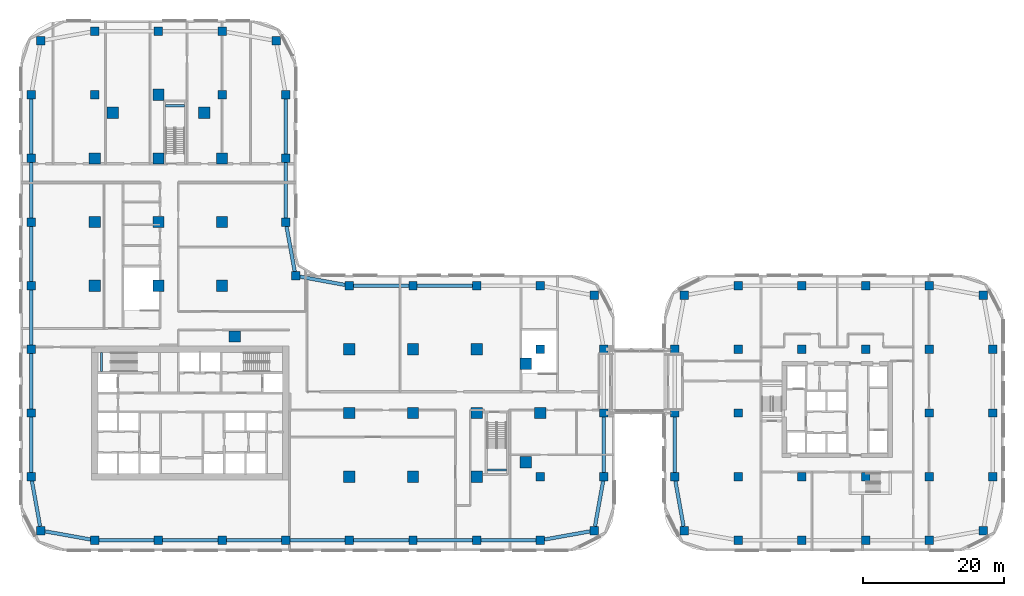
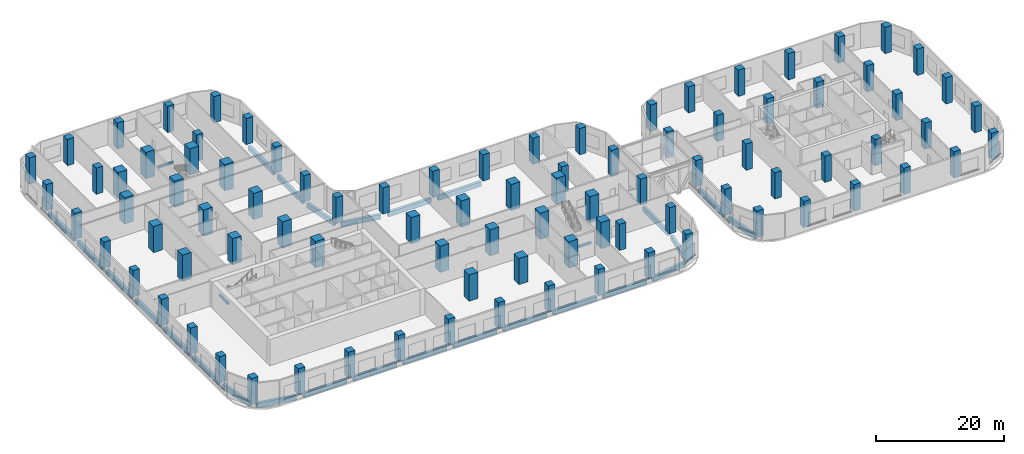
# One storey, part 1 of 33: 91 columns, 29 beams.
"""IFC4 building model written with IfcOpenShell, lengths in metres."""

from ifc_helpers import new_model, si_unit, direction, frame, origin, origin_2d, place, context, subcontext, project, spatial, rectangle, extrude, material, material_profile, profile_set, type_object, element, save


model = new_model("IFC4")

# Units and contexts
model_context = context("Model", 3, precision=1e-05, world=origin(), true_north=direction((0.0, 1.0)))
body_context = subcontext(model_context, "Body", "Model", "MODEL_VIEW")
ifc_project = project(units=[si_unit("LENGTHUNIT", "METRE"), si_unit("AREAUNIT", "SQUARE_METRE"), si_unit("VOLUMEUNIT", "CUBIC_METRE"), si_unit("PLANEANGLEUNIT", "RADIAN"), si_unit("MASSUNIT", "GRAM", prefix="KILO")], contexts=[model_context])

# Site, building, storey
site_placement = place(None, origin())
site = spatial("IfcSite", under=ifc_project, at=site_placement, CompositionType="ELEMENT")
building_placement = place(site_placement, origin())
building = spatial("IfcBuilding", under=site, at=building_placement, Name="Ogive Portal Towers", CompositionType="ELEMENT")
storey_placement = place(building_placement, frame((0.0, 0.0, 28.5)))
storey = spatial("IfcBuildingStorey", under=building, at=storey_placement, Name="L05", CompositionType="ELEMENT", Elevation=28.5)

# Columns
ifc_material_1 = material(Name="Concrete C50/60", Category="concrete")
ifc_material_profile_1 = material_profile(ifc_material_1, rectangle(XDim=1.199951171875, YDim=1.199951171875, at=origin_2d()), Name="RC 1200x1200")
ifc_profile_set_1 = profile_set([ifc_material_profile_1], Name="Concrete C50/60")
column_type_1 = type_object("IfcColumnType", Name="COLUMN RC 1200x1200", PredefinedType="COLUMN", material=ifc_profile_set_1)
for number, where, z_axis, x_axis, name in (
    (1, (31.5, 12.5, 0.0), (0.0, 0.0, 1.0), (1.0, 0.0, 0.0), "Column 1/Z L05"),
    (2, (40.5, 12.5, 0.0), (0.0, 0.0, 1.0), (1.0, 0.0, 0.0), "Column 2/Z L05"),
    (3, (49.5, 12.5, 0.0), (0.0, 0.0, 1.0), (1.0, 0.0, 0.0), "Column 3/Z L05"),
    (4, (58.5, 12.5, 0.0), (0.0, 0.0, 1.0), (1.0, 0.0, 0.0), "Column 4/Z L05"),
    (5, (67.5, 12.5, 0.0), (0.0, 0.0, 1.0), (1.0, 0.0, 0.0), "Column 5/Z L05"),
    (6, (76.5, 12.5, 0.0), (0.0, 0.0, 1.0), (1.0, 0.0, 0.0), "Column 6/Z L05"),
    (7, (85.5, 12.5, 0.0), (0.0, 0.0, 1.0), (1.0, 0.0, 0.0), "Column 7/Z L05"),
    (8, (94.5, 12.5, 0.0), (0.0, 0.0, 1.0), (1.0, 0.0, 0.0), "Column 8/Z L05"),
    (9, (23.8701171875, 13.8701171875, 0.0), (0.0, 0.0, 1.0), (1.0, 0.0, 0.0), "Column L05"),
    (10, (102.1298828125, 13.8701171875, 0.0), (0.0, 0.0, 1.0), (1.0, 0.0, 0.0), "Column L05"),
    (11, (22.5, 21.5, 0.0), (0.0, 0.0, 1.0), (1.0, 0.0, 0.0), "Column 0/A L05"),
    (12, (94.5, 21.5, 0.0), (0.0, 0.0, 1.0), (1.0, 0.0, 0.0), "Column 8/A L05"),
    (13, (103.5, 21.5, 0.0), (0.0, 0.0, 1.0), (1.0, 0.0, 0.0), "Column 9/A L05"),
    (14, (22.5, 30.5, 0.0), (0.0, 0.0, 1.0), (1.0, 0.0, 0.0), "Column 0/B L05"),
    (15, (103.5, 30.5, 0.0), (0.0, 0.0, 1.0), (1.0, 0.0, 0.0), "Column 9/B L05"),
    (16, (22.5, 39.5, 0.0), (0.0, 0.0, 1.0), (1.0, 0.0, 0.0), "Column 0/C L05"),
    (17, (94.5, 39.5, 0.0), (0.0, 0.0, 1.0), (1.0, 0.0, 0.0), "Column 8/C L05"),
    (18, (103.5, 39.5, 0.0), (0.0, 0.0, 1.0), (1.0, 0.0, 0.0), "Column 9/C L05"),
    (19, (102.1298828125, 47.1298828125, 0.0), (0.0, 0.0, 1.0), (1.0, 0.0, 0.0), "Column L05"),
    (20, (22.5, 48.5, 0.0), (0.0, 0.0, 1.0), (1.0, 0.0, 0.0), "Column 0/D L05"),
    (21, (67.5, 48.5, 0.0), (0.0, 0.0, 1.0), (1.0, 0.0, 0.0), "Column 5/D L05"),
    (22, (76.5, 48.5, 0.0), (0.0, 0.0, 1.0), (1.0, 0.0, 0.0), "Column 6/D L05"),
    (23, (85.5, 48.5, 0.0), (0.0, 0.0, 1.0), (1.0, 0.0, 0.0), "Column 7/D L05"),
    (24, (94.5, 48.5, 0.0), (0.0, 0.0, 1.0), (1.0, 0.0, 0.0), "Column 8/D L05"),
    (25, (59.889892578125, 49.889892578125, 0.0), (0.0, 0.0, 1.0), (1.0, 0.0, 0.0), "Column L05"),
    (26, (22.5, 57.5, 0.0), (0.0, 0.0, 1.0), (1.0, 0.0, 0.0), "Column 0/E L05"),
    (27, (58.5, 57.5, 0.0), (0.0, 0.0, 1.0), (1.0, 0.0, 0.0), "Column 4/E L05"),
    (28, (22.5, 66.5, 0.0), (0.0, 0.0, 1.0), (1.0, 0.0, 0.0), "Column 0/F L05"),
    (29, (58.5, 66.5, 0.0), (0.0, 0.0, 1.0), (1.0, 0.0, 0.0), "Column 4/F L05"),
    (30, (22.5, 75.5, 0.0), (0.0, 0.0, 1.0), (1.0, 0.0, 0.0), "Column 0/G L05"),
    (31, (31.5, 75.5, 0.0), (0.0, 0.0, 1.0), (1.0, 0.0, 0.0), "Column 1/G L05"),
    (32, (49.5, 75.5, 0.0), (0.0, 0.0, 1.0), (1.0, 0.0, 0.0), "Column 3/G L05"),
    (33, (58.5, 75.5, 0.0), (0.0, 0.0, 1.0), (1.0, 0.0, 0.0), "Column 4/G L05"),
    (34, (23.8701171875, 83.1298828125, 0.0), (0.0, 0.0, 1.0), (1.0, 0.0, 0.0), "Column L05"),
    (35, (57.1298828125, 83.1298828125, 0.0), (0.0, 0.0, 1.0), (1.0, 0.0, 0.0), "Column L05"),
    (36, (31.5, 84.5, 0.0), (0.0, 0.0, 1.0), (1.0, 0.0, 0.0), "Column 1/H1 L05"),
    (37, (40.5, 84.5, 0.0), (0.0, 0.0, 1.0), (1.0, 0.0, 0.0), "Column 2/H1 L05"),
    (38, (49.5, 84.5, 0.0), (0.0, 0.0, 1.0), (1.0, 0.0, 0.0), "Column 3/H1 L05"),
    (39, (122.5, 12.5, 0.0), (0.0, 0.0, 1.0), (1.0, 0.0, 0.0), "Column P2/Q1 L05"),
    (40, (131.5, 12.5, 0.0), (0.0, 0.0, 1.0), (1.0, 0.0, 0.0), "Column P3/Q1 L05"),
    (41, (140.5, 12.5, 0.0), (0.0, 0.0, 1.0), (1.0, 0.0, 0.0), "Column P4/Q1 L05"),
    (42, (149.5, 12.5, 0.0), (0.0, 0.0, 1.0), (1.0, 0.0, 0.0), "Column P5/Q1 L05"),
    (43, (114.8701171875, 13.8701171875, 0.0), (0.0, 0.0, 1.0), (1.0, 0.0, 0.0), "Column L05"),
    (44, (157.1298828125, 13.8701171875, 0.0), (0.0, 0.0, 1.0), (1.0, 0.0, 0.0), "Column L05"),
    (45, (113.5, 21.5, 0.0), (0.0, 0.0, 1.0), (1.0, 0.0, 0.0), "Column P1/Q2 L05"),
    (46, (122.5, 21.5, 0.0), (0.0, 0.0, 1.0), (1.0, 0.0, 0.0), "Column P2/Q2 L05"),
    (47, (131.5, 21.5, 0.0), (0.0, 0.0, 1.0), (1.0, 0.0, 0.0), "Column P3/Q2 L05"),
    (48, (140.5, 21.5, 0.0), (0.0, 0.0, 1.0), (1.0, 0.0, 0.0), "Column P4/Q2 L05"),
    (49, (149.5, 21.5, 0.0), (0.0, 0.0, 1.0), (1.0, 0.0, 0.0), "Column P5/Q2 L05"),
    (50, (158.5, 21.5, 0.0), (0.0, 0.0, 1.0), (1.0, 0.0, 0.0), "Column P6/Q2 L05"),
    (51, (113.5, 30.5, 0.0), (0.0, 0.0, 1.0), (1.0, 0.0, 0.0), "Column P1/Q3 L05"),
    (52, (122.5, 30.5, 0.0), (0.0, 0.0, 1.0), (1.0, 0.0, 0.0), "Column P2/Q3 L05"),
    (53, (149.5, 30.5, 0.0), (0.0, 0.0, 1.0), (1.0, 0.0, 0.0), "Column P5/Q3 L05"),
    (54, (158.5, 30.5, 0.0), (0.0, 0.0, 1.0), (1.0, 0.0, 0.0), "Column P6/Q3 L05"),
    (55, (113.5, 39.5, 0.0), (0.0, 0.0, 1.0), (1.0, 0.0, 0.0), "Column P1/Q4 L05"),
    (56, (122.5, 39.5, 0.0), (0.0, 0.0, 1.0), (1.0, 0.0, 0.0), "Column P2/Q4 L05"),
    (57, (131.5, 39.5, 0.0), (0.0, 0.0, 1.0), (1.0, 0.0, 0.0), "Column P3/Q4 L05"),
    (58, (140.5, 39.5, 0.0), (0.0, 0.0, 1.0), (1.0, 0.0, 0.0), "Column P4/Q4 L05"),
    (59, (149.5, 39.5, 0.0), (0.0, 0.0, 1.0), (1.0, 0.0, 0.0), "Column P5/Q4 L05"),
    (60, (158.5, 39.5, 0.0), (0.0, 0.0, 1.0), (1.0, 0.0, 0.0), "Column P6/Q4 L05"),
    (61, (114.8701171875, 47.1298828125, 0.0), (0.0, 0.0, 1.0), (1.0, 0.0, 0.0), "Column L05"),
    (62, (157.1298828125, 47.1298828125, 0.0), (0.0, 0.0, 1.0), (1.0, 0.0, 0.0), "Column L05"),
    (63, (122.5, 48.5, 0.0), (0.0, 0.0, 1.0), (1.0, 0.0, 0.0), "Column P2/Q5 L05"),
    (64, (131.5, 48.5, 0.0), (0.0, 0.0, 1.0), (1.0, 0.0, 0.0), "Column P3/Q5 L05"),
    (65, (140.5, 48.5, 0.0), (0.0, 0.0, 1.0), (1.0, 0.0, 0.0), "Column P4/Q5 L05"),
    (66, (149.5, 48.5, 0.0), (0.0, 0.0, 1.0), (1.0, 0.0, 0.0), "Column P5/Q5 L05"),
):
    element("IfcColumn", number, at=place(storey_placement, frame(where, z_axis=z_axis, x_axis=x_axis)), inside=storey, type_object=column_type_1, Name=name, PredefinedType="COLUMN", context=body_context, shape_type="SweptSolid", body=[
        extrude(rectangle(XDim=1.199951171875, YDim=1.199951171875, at=origin_2d()), origin(), (0.0, 0.0, 1.0), 5.0),
    ])
ifc_material_2 = material(Name="Concrete C60/75", Category="concrete")
ifc_material_profile_2 = material_profile(ifc_material_2, rectangle(XDim=1.60009765625, YDim=1.60009765625, at=origin_2d()), Name="RC 1600x1600")
ifc_profile_set_2 = profile_set([ifc_material_profile_2], Name="Concrete C60/75")
column_type_2 = type_object("IfcColumnType", Name="COLUMN RC 1600x1600", PredefinedType="COLUMN", material=ifc_profile_set_2)
for number, where, z_axis, x_axis, name in (
    (67, (67.5, 21.5, 0.0), (0.0, 0.0, 1.0), (1.0, 0.0, 0.0), "Column 5/A L05"),
    (68, (76.5, 21.5, 0.0), (0.0, 0.0, 1.0), (1.0, 0.0, 0.0), "Column 6/A L05"),
    (69, (85.5, 21.5, 0.0), (0.0, 0.0, 1.0), (1.0, 0.0, 0.0), "Column 7/A L05"),
    (70, (67.5, 30.5, 0.0), (0.0, 0.0, 1.0), (1.0, 0.0, 0.0), "Column 5/B L05"),
    (71, (76.5, 30.5, 0.0), (0.0, 0.0, 1.0), (1.0, 0.0, 0.0), "Column 6/B L05"),
    (72, (85.5, 30.5, 0.0), (0.0, 0.0, 1.0), (1.0, 0.0, 0.0), "Column 7/B L05"),
    (73, (94.5, 30.5, 0.0), (0.0, 0.0, 1.0), (1.0, 0.0, 0.0), "Column 8/B L05"),
    (74, (67.5, 39.5, 0.0), (0.0, 0.0, 1.0), (1.0, 0.0, 0.0), "Column 5/C L05"),
    (75, (76.5, 39.5, 0.0), (0.0, 0.0, 1.0), (1.0, 0.0, 0.0), "Column 6/C L05"),
    (76, (85.5, 39.5, 0.0), (0.0, 0.0, 1.0), (1.0, 0.0, 0.0), "Column 7/C L05"),
    (77, (31.5, 48.5, 0.0), (0.0, 0.0, 1.0), (1.0, 0.0, 0.0), "Column 1/D L05"),
    (78, (40.5, 48.5, 0.0), (0.0, 0.0, 1.0), (1.0, 0.0, 0.0), "Column 2/D L05"),
    (79, (49.5, 48.5, 0.0), (0.0, 0.0, 1.0), (1.0, 0.0, 0.0), "Column 3/D L05"),
    (80, (31.5, 57.5, 0.0), (0.0, 0.0, 1.0), (1.0, 0.0, 0.0), "Column 1/E L05"),
    (81, (40.5, 57.5, 0.0), (0.0, 0.0, 1.0), (1.0, 0.0, 0.0), "Column 2/E L05"),
    (82, (49.5, 57.5, 0.0), (0.0, 0.0, 1.0), (1.0, 0.0, 0.0), "Column 3/E L05"),
    (83, (31.5, 66.5, 0.0), (0.0, 0.0, 1.0), (1.0, 0.0, 0.0), "Column 1/F L05"),
    (84, (40.5, 66.5, 0.0), (0.0, 0.0, 1.0), (1.0, 0.0, 0.0), "Column 2/F L05"),
    (85, (49.5, 66.5, 0.0), (0.0, 0.0, 1.0), (1.0, 0.0, 0.0), "Column 3/F L05"),
    (86, (40.5, 75.5, 0.0), (0.0, 0.0, 1.0), (1.0, 0.0, 0.0), "Column 2/G L05"),
    (87, (34.030029296875, 72.969970703125, 0.0), (0.0, 0.0, 1.0), (1.0, 0.0, 0.0), "Column L05"),
    (88, (46.969970703125, 72.969970703125, 0.0), (0.0, 0.0, 1.0), (1.0, 0.0, 0.0), "Column L05"),
    (89, (51.31005859375, 41.31005859375, 0.0), (0.0, 0.0, 1.0), (1.0, 0.0, 0.0), "Column L05"),
    (90, (92.449951171875, 23.550048828125, 0.0), (0.0, 0.0, 1.0), (1.0, 0.0, 0.0), "Column L05"),
    (91, (92.449951171875, 37.449951171875, 0.0), (0.0, 0.0, 1.0), (1.0, 0.0, 0.0), "Column L05"),
):
    element("IfcColumn", number, at=place(storey_placement, frame(where, z_axis=z_axis, x_axis=x_axis)), inside=storey, type_object=column_type_2, Name=name, PredefinedType="COLUMN", context=body_context, shape_type="SweptSolid", body=[
        extrude(rectangle(XDim=1.60009765625, YDim=1.60009765625, at=origin_2d()), origin(), (0.0, 0.0, 1.0), 5.0),
    ])

# Beams
ifc_material_3 = material(Name="Concrete C40/50", Category="concrete")
ifc_material_profile_3 = material_profile(ifc_material_3, rectangle(XDim=0.300048828125, YDim=0.39990234375, at=origin_2d()), Name="RC 300x400")
ifc_profile_set_3 = profile_set([ifc_material_profile_3], Name="Concrete C40/50")
beam_type_1 = type_object("IfcBeamType", Name="BEAM RC 300x400", PredefinedType="BEAM", material=ifc_profile_set_3)
for number, where, z_axis, x_axis, name in (
    (92, (32.449951171875, 36.35009765625, 2.10009765625), (0.0, 1.0, 0.0), (-1.0, 0.0, 0.0), "Landing beam L05"),
    (93, (41.5, 73.949951171875, 2.10009765625), (1.0, 0.0, 0.0), (0.0, 1.0, 0.0), "Landing beam L05"),
    (94, (87.0, 22.449951171875, 2.10009765625), (1.0, 0.0, 0.0), (0.0, 1.0, 0.0), "Landing beam L05"),
):
    element("IfcBeam", number, at=place(storey_placement, frame(where, z_axis=z_axis, x_axis=x_axis)), inside=storey, type_object=beam_type_1, Name=name, PredefinedType="BEAM", context=body_context, shape_type="SweptSolid", body=[
        extrude(rectangle(XDim=0.300048828125, YDim=0.39990234375, at=origin_2d()), origin(), (0.0, 0.0, 1.0), 2.699951171875),
    ])
ifc_material_profile_4 = material_profile(ifc_material_1, rectangle(XDim=0.5, YDim=0.89990234375, at=origin_2d()), Name="RC 500x900")
ifc_profile_set_4 = profile_set([ifc_material_profile_4], Name="Concrete C50/60")
beam_type_2 = type_object("IfcBeamType", Name="PODIUM GIRDER RC 500x900", PredefinedType="BEAM", material=ifc_profile_set_4)
beam_1_placement = place(storey_placement, frame((24.469970703125, 13.76220703125, -0.75), z_axis=(0.984259207685, -0.176730903032, 0.0), x_axis=(0.176730903032, 0.984259207685, 0.0)))
element("IfcBeam", 95, at=beam_1_placement, inside=storey, type_object=beam_type_2, Name="Spandrel beam L05", PredefinedType="BEAM", context=body_context, shape_type="SweptSolid", body=[
    extrude(rectangle(XDim=0.5, YDim=0.89990234375, at=origin_2d()), origin(), (0.0, 0.0, 1.0), 6.53271484375),
])
for number, where, z_axis, x_axis, name in (
    (96, (32.10009765625, 12.5, -0.75), (1.0, 0.0, 0.0), (0.0, 1.0, 0.0), "Spandrel beam L05"),
    (97, (41.10009765625, 12.5, -0.75), (1.0, 0.0, 0.0), (0.0, 1.0, 0.0), "Spandrel beam L05"),
    (98, (50.10009765625, 12.5, -0.75), (1.0, 0.0, 0.0), (0.0, 1.0, 0.0), "Spandrel beam L05"),
    (99, (59.10009765625, 12.5, -0.75), (1.0, 0.0, 0.0), (0.0, 1.0, 0.0), "Spandrel beam L05"),
    (100, (68.10009765625, 12.5, -0.75), (1.0, 0.0, 0.0), (0.0, 1.0, 0.0), "Spandrel beam L05"),
    (101, (77.10009765625, 12.5, -0.75), (1.0, 0.0, 0.0), (0.0, 1.0, 0.0), "Spandrel beam L05"),
    (102, (86.10009765625, 12.5, -0.75), (1.0, 0.0, 0.0), (0.0, 1.0, 0.0), "Spandrel beam L05"),
):
    element("IfcBeam", number, at=place(storey_placement, frame(where, z_axis=z_axis, x_axis=x_axis)), inside=storey, type_object=beam_type_2, Name=name, PredefinedType="BEAM", context=body_context, shape_type="SweptSolid", body=[
        extrude(rectangle(XDim=0.5, YDim=0.89990234375, at=origin_2d()), origin(), (0.0, 0.0, 1.0), 7.7998046875),
    ])
for number, where, z_axis, x_axis, name in (
    (103, (95.10009765625, 12.607666015625, -0.75), (0.984259207685, 0.176730903032, 0.0), (-0.176730903032, 0.984259207685, 0.0), "Spandrel beam L05"),
    (104, (102.23779296875, 14.469970703125, -0.75), (0.176730903032, 0.984259207685, 0.0), (-0.984259207685, 0.176730903032, 0.0), "Spandrel beam L05"),
):
    element("IfcBeam", number, at=place(storey_placement, frame(where, z_axis=z_axis, x_axis=x_axis)), inside=storey, type_object=beam_type_2, Name=name, PredefinedType="BEAM", context=body_context, shape_type="SweptSolid", body=[
        extrude(rectangle(XDim=0.5, YDim=0.89990234375, at=origin_2d()), origin(), (0.0, 0.0, 1.0), 6.53271484375),
    ])
for number, where, z_axis, x_axis, name in (
    (105, (103.5, 22.10009765625, -0.75), (0.0, 1.0, 0.0), (-1.0, 0.0, 0.0), "Spandrel beam L05"),
    (106, (84.89990234375, 48.5, -0.75), (-1.0, 0.0, 0.0), (0.0, -1.0, 0.0), "Spandrel beam L05"),
    (107, (75.89990234375, 48.5, -0.75), (-1.0, 0.0, 0.0), (0.0, -1.0, 0.0), "Spandrel beam L05"),
):
    element("IfcBeam", number, at=place(storey_placement, frame(where, z_axis=z_axis, x_axis=x_axis)), inside=storey, type_object=beam_type_2, Name=name, PredefinedType="BEAM", context=body_context, shape_type="SweptSolid", body=[
        extrude(rectangle(XDim=0.5, YDim=0.89990234375, at=origin_2d()), origin(), (0.0, 0.0, 1.0), 7.7998046875),
    ])
for number, where, z_axis, x_axis, name in (
    (108, (66.89990234375, 48.609619140625, -0.75), (-0.983722101747, 0.179696484478, 0.0), (-0.179696484478, -0.983722101747, 0.0), "Spandrel beam L05"),
    (109, (59.780517578125, 50.489990234375, -0.75), (-0.179696484478, 0.983722101747, 0.0), (-0.983722101747, -0.179696484478, 0.0), "Spandrel beam L05"),
):
    element("IfcBeam", number, at=place(storey_placement, frame(where, z_axis=z_axis, x_axis=x_axis)), inside=storey, type_object=beam_type_2, Name=name, PredefinedType="BEAM", context=body_context, shape_type="SweptSolid", body=[
        extrude(rectangle(XDim=0.5, YDim=0.89990234375, at=origin_2d()), origin(), (0.0, 0.0, 1.0), 6.515869140625),
    ])
for number, where, z_axis, x_axis, name in (
    (110, (58.5, 58.10009765625, -0.75), (0.0, 1.0, 0.0), (-1.0, 0.0, 0.0), "Spandrel beam L05"),
    (111, (58.5, 67.10009765625, -0.75), (0.0, 1.0, 0.0), (-1.0, 0.0, 0.0), "Spandrel beam L05"),
    (112, (22.5, 74.89990234375, -0.75), (0.0, -1.0, 0.0), (1.0, 0.0, 0.0), "Spandrel beam L05"),
    (113, (22.5, 65.89990234375, -0.75), (0.0, -1.0, 0.0), (1.0, 0.0, 0.0), "Spandrel beam L05"),
    (114, (22.5, 56.89990234375, -0.75), (0.0, -1.0, 0.0), (1.0, 0.0, 0.0), "Spandrel beam L05"),
    (115, (22.5, 47.89990234375, -0.75), (0.0, -1.0, 0.0), (1.0, 0.0, 0.0), "Spandrel beam L05"),
    (116, (22.5, 38.89990234375, -0.75), (0.0, -1.0, 0.0), (1.0, 0.0, 0.0), "Spandrel beam L05"),
    (117, (22.5, 29.89990234375, -0.75), (0.0, -1.0, 0.0), (1.0, 0.0, 0.0), "Spandrel beam L05"),
):
    element("IfcBeam", number, at=place(storey_placement, frame(where, z_axis=z_axis, x_axis=x_axis)), inside=storey, type_object=beam_type_2, Name=name, PredefinedType="BEAM", context=body_context, shape_type="SweptSolid", body=[
        extrude(rectangle(XDim=0.5, YDim=0.89990234375, at=origin_2d()), origin(), (0.0, 0.0, 1.0), 7.7998046875),
    ])
beam_2_placement = place(storey_placement, frame((22.607666015625, 20.89990234375, -0.75), z_axis=(0.176730903032, -0.984259207685, 0.0), x_axis=(0.984259207685, 0.176730903032, 0.0)))
element("IfcBeam", 118, at=beam_2_placement, inside=storey, type_object=beam_type_2, Name="Spandrel beam L05", PredefinedType="BEAM", context=body_context, shape_type="SweptSolid", body=[
    extrude(rectangle(XDim=0.5, YDim=0.89990234375, at=origin_2d()), origin(), (0.0, 0.0, 1.0), 6.53271484375),
])
beam_3_placement = place(storey_placement, frame((113.5, 29.89990234375, -0.75), z_axis=(0.0, -1.0, 0.0), x_axis=(1.0, 0.0, 0.0)))
element("IfcBeam", 119, at=beam_3_placement, inside=storey, type_object=beam_type_2, Name="Spandrel beam L05", PredefinedType="BEAM", context=body_context, shape_type="SweptSolid", body=[
    extrude(rectangle(XDim=0.5, YDim=0.89990234375, at=origin_2d()), origin(), (0.0, 0.0, 1.0), 7.7998046875),
])
beam_4_placement = place(storey_placement, frame((113.607666015625, 20.89990234375, -0.75), z_axis=(0.176730903032, -0.984259207685, 0.0), x_axis=(0.984259207685, 0.176730903032, 0.0)))
element("IfcBeam", 120, at=beam_4_placement, inside=storey, type_object=beam_type_2, Name="Spandrel beam L05", PredefinedType="BEAM", context=body_context, shape_type="SweptSolid", body=[
    extrude(rectangle(XDim=0.5, YDim=0.89990234375, at=origin_2d()), origin(), (0.0, 0.0, 1.0), 6.53271484375),
])

save(model, "model.ifc")
